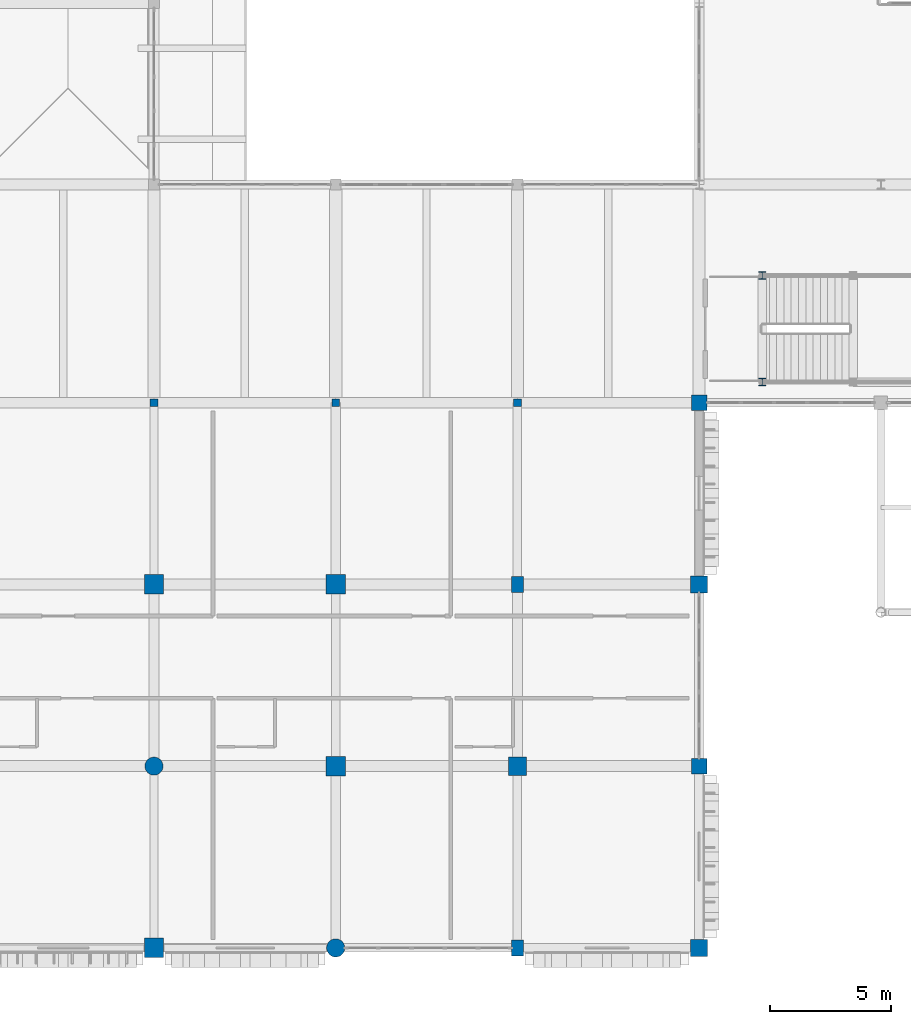
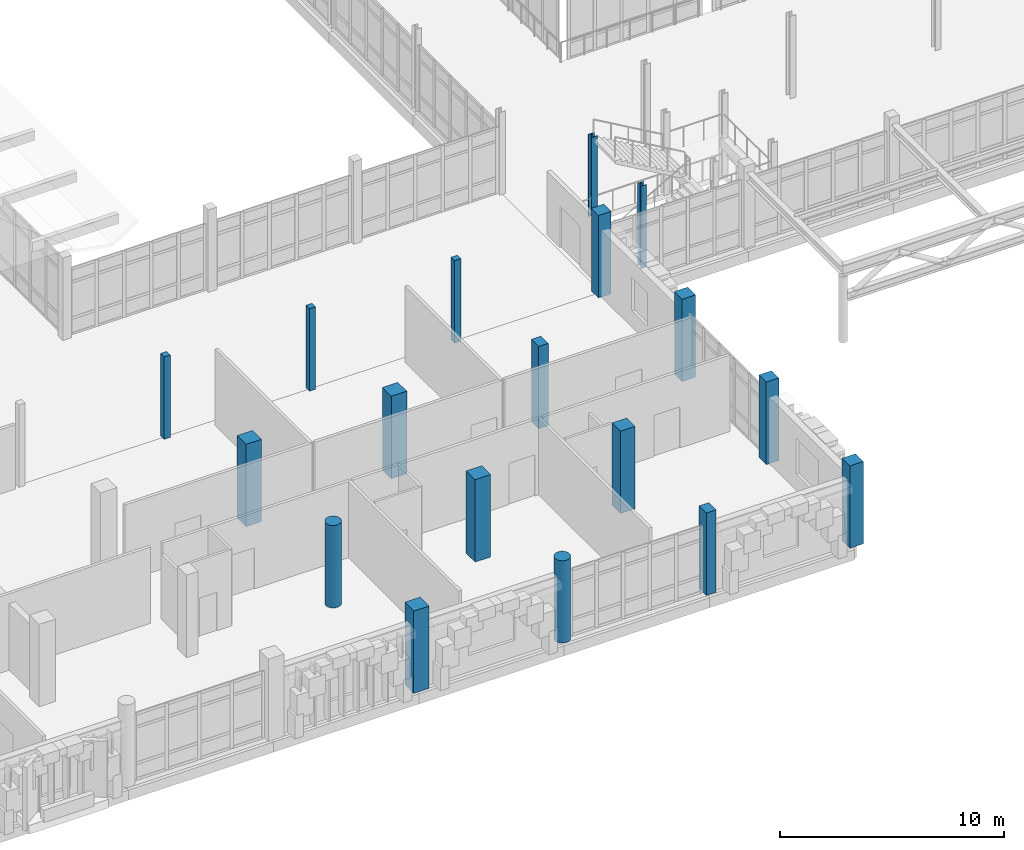
# One storey, part 2 of 128: 18 columns.
"""IFC4 building model written with IfcOpenShell, lengths in metres."""

from ifc_helpers import new_model, si_unit, direction, frame, origin, origin_2d, place, context, subcontext, project, spatial, rectangle, circle, i_section, extrude, material, material_profile, profile_set, type_object, element, save


model = new_model("IFC4")

# Units and contexts
model_context = context("Model", 3, precision=1e-05, world=origin(), true_north=direction((0.0, 1.0)))
body_context = subcontext(model_context, "Body", "Model", "MODEL_VIEW")
ifc_project = project(units=[si_unit("LENGTHUNIT", "METRE"), si_unit("AREAUNIT", "SQUARE_METRE"), si_unit("VOLUMEUNIT", "CUBIC_METRE"), si_unit("PLANEANGLEUNIT", "RADIAN"), si_unit("MASSUNIT", "GRAM", prefix="KILO")], contexts=[model_context])

# Site, building, storey
site_placement = place(None, origin())
site = spatial("IfcSite", under=ifc_project, at=site_placement, CompositionType="ELEMENT")
building_placement = place(site_placement, origin())
building = spatial("IfcBuilding", under=site, at=building_placement, Name="Dalvernix Boulevard General Hospital", CompositionType="ELEMENT")
storey_placement = place(building_placement, frame((0.0, 0.0, 4.800048828125)))
storey = spatial("IfcBuildingStorey", under=building, at=storey_placement, Name="L01", CompositionType="ELEMENT", Elevation=4.800048828125)

# Columns
ifc_material_1 = material(Name="Concrete C40/50", Category="concrete")
ifc_material_profile_1 = material_profile(ifc_material_1, rectangle(XDim=0.800048828125, YDim=0.800048828125, at=origin_2d()), Name="RC 800x800")
ifc_profile_set_1 = profile_set([ifc_material_profile_1], Name="Concrete C40/50")
column_type_1 = type_object("IfcColumnType", Name="COL-C-03-E", PredefinedType="COLUMN", material=ifc_profile_set_1)
column_1_placement = place(storey_placement, frame((37.5, 0.0, 0.0), z_axis=(0.0, 0.0, 1.0), x_axis=(1.0, 0.0, 0.0)))
element("IfcColumn", 1, at=column_1_placement, inside=storey, type_object=column_type_1, Name="L01 column 6A", PredefinedType="COLUMN", context=body_context, shape_type="SweptSolid", body=[
    extrude(rectangle(XDim=0.800048828125, YDim=0.800048828125, at=origin_2d()), origin(), (0.0, 0.0, 1.0), 4.5),
])
ifc_material_profile_2 = material_profile(ifc_material_1, rectangle(XDim=0.800048828125, YDim=0.800048828125, at=origin_2d()), Name="RC 800x800")
ifc_profile_set_2 = profile_set([ifc_material_profile_2], Name="Concrete C40/50")
column_type_2 = type_object("IfcColumnType", Name="COL-C-03-I", PredefinedType="COLUMN", material=ifc_profile_set_2)
for number, where, z_axis, x_axis, name in (
    (2, (37.5, 15.0, 0.0), (0.0, 0.0, 1.0), (1.0, 0.0, 0.0), "L01 column 6C"),
    (3, (45.0, 7.5, 0.0), (0.0, 0.0, 1.0), (1.0, 0.0, 0.0), "L01 column 7B"),
    (4, (45.0, 15.0, 0.0), (0.0, 0.0, 1.0), (1.0, 0.0, 0.0), "L01 column 7C"),
):
    element("IfcColumn", number, at=place(storey_placement, frame(where, z_axis=z_axis, x_axis=x_axis)), inside=storey, type_object=column_type_2, Name=name, PredefinedType="COLUMN", context=body_context, shape_type="SweptSolid", body=[
        extrude(rectangle(XDim=0.800048828125, YDim=0.800048828125, at=origin_2d()), origin(), (0.0, 0.0, 1.0), 4.5),
    ])
ifc_material_profile_3 = material_profile(ifc_material_1, rectangle(XDim=0.75, YDim=0.75, at=origin_2d()), Name="RC 750x750")
ifc_profile_set_3 = profile_set([ifc_material_profile_3], Name="Concrete C40/50")
column_type_3 = type_object("IfcColumnType", Name="COL-C-04-I", PredefinedType="COLUMN", material=ifc_profile_set_3)
column_2_placement = place(storey_placement, frame((52.5, 7.5, 0.0), z_axis=(0.0, 0.0, 1.0), x_axis=(1.0, 0.0, 0.0)))
element("IfcColumn", 5, at=column_2_placement, inside=storey, type_object=column_type_3, Name="L01 column 8B", PredefinedType="COLUMN", context=body_context, shape_type="SweptSolid", body=[
    extrude(rectangle(XDim=0.75, YDim=0.75, at=origin_2d()), origin(), (0.0, 0.0, 1.0), 4.5),
])
ifc_material_profile_4 = material_profile(ifc_material_1, rectangle(XDim=0.699951171875, YDim=0.699951171875, at=origin_2d()), Name="RC 700x700")
ifc_profile_set_4 = profile_set([ifc_material_profile_4], Name="Concrete C40/50")
column_type_4 = type_object("IfcColumnType", Name="COL-C-05-E", PredefinedType="COLUMN", material=ifc_profile_set_4)
for number, where, z_axis, x_axis, name in (
    (6, (60.0, 0.0, 0.0), (0.0, 0.0, 1.0), (1.0, 0.0, 0.0), "L01 column 9A"),
    (7, (60.0, 15.0, 0.0), (0.0, 0.0, 1.0), (1.0, 0.0, 0.0), "L01 column 9C"),
):
    element("IfcColumn", number, at=place(storey_placement, frame(where, z_axis=z_axis, x_axis=x_axis)), inside=storey, type_object=column_type_4, Name=name, PredefinedType="COLUMN", context=body_context, shape_type="SweptSolid", body=[
        extrude(rectangle(XDim=0.699951171875, YDim=0.699951171875, at=origin_2d()), origin(), (0.0, 0.0, 1.0), 4.5),
    ])
ifc_material_profile_5 = material_profile(ifc_material_1, rectangle(XDim=0.64990234375, YDim=0.64990234375, at=origin_2d()), Name="RC 650x650")
ifc_profile_set_5 = profile_set([ifc_material_profile_5], Name="Concrete C40/50")
column_type_5 = type_object("IfcColumnType", Name="COL-C-06-E", PredefinedType="COLUMN", material=ifc_profile_set_5)
for number, where, z_axis, x_axis, name in (
    (8, (60.0, 7.5, 0.0), (0.0, 0.0, 1.0), (1.0, 0.0, 0.0), "L01 column 9B"),
    (9, (60.0, 22.5, 0.0), (0.0, 0.0, 1.0), (1.0, 0.0, 0.0), "L01 column 9D"),
):
    element("IfcColumn", number, at=place(storey_placement, frame(where, z_axis=z_axis, x_axis=x_axis)), inside=storey, type_object=column_type_5, Name=name, PredefinedType="COLUMN", context=body_context, shape_type="SweptSolid", body=[
        extrude(rectangle(XDim=0.64990234375, YDim=0.64990234375, at=origin_2d()), origin(), (0.0, 0.0, 1.0), 4.5),
    ])
ifc_material_profile_6 = material_profile(ifc_material_1, rectangle(XDim=0.5, YDim=0.64990234375, at=origin_2d()), Name="RC 500x650")
ifc_profile_set_6 = profile_set([ifc_material_profile_6], Name="Concrete C40/50")
column_type_6 = type_object("IfcColumnType", Name="COL-C-12-E", PredefinedType="COLUMN", material=ifc_profile_set_6)
column_3_placement = place(storey_placement, frame((52.5, 0.0, 0.0), z_axis=(0.0, 0.0, 1.0), x_axis=(1.0, 0.0, 0.0)))
element("IfcColumn", 10, at=column_3_placement, inside=storey, type_object=column_type_6, Name="L01 column 8A", PredefinedType="COLUMN", context=body_context, shape_type="SweptSolid", body=[
    extrude(rectangle(XDim=0.5, YDim=0.64990234375, at=origin_2d()), origin(), (0.0, 0.0, 1.0), 4.5),
])
ifc_material_profile_7 = material_profile(ifc_material_1, rectangle(XDim=0.5, YDim=0.64990234375, at=origin_2d()), Name="RC 500x650")
ifc_profile_set_7 = profile_set([ifc_material_profile_7], Name="Concrete C40/50")
column_type_7 = type_object("IfcColumnType", Name="COL-C-12-I", PredefinedType="COLUMN", material=ifc_profile_set_7)
column_4_placement = place(storey_placement, frame((52.5, 15.0, 0.0), z_axis=(0.0, 0.0, 1.0), x_axis=(1.0, 0.0, 0.0)))
element("IfcColumn", 11, at=column_4_placement, inside=storey, type_object=column_type_7, Name="L01 column 8C", PredefinedType="COLUMN", context=body_context, shape_type="SweptSolid", body=[
    extrude(rectangle(XDim=0.5, YDim=0.64990234375, at=origin_2d()), origin(), (0.0, 0.0, 1.0), 4.5),
])
ifc_material_profile_8 = material_profile(ifc_material_1, circle(Radius=0.375, at=origin_2d()), Name="RC D750")
ifc_profile_set_8 = profile_set([ifc_material_profile_8], Name="Concrete C40/50")
column_type_8 = type_object("IfcColumnType", Name="COL-C-14-E", PredefinedType="COLUMN", material=ifc_profile_set_8)
column_5_placement = place(storey_placement, frame((45.0, 0.0, 0.0), z_axis=(0.0, 0.0, 1.0), x_axis=(1.0, 0.0, 0.0)))
element("IfcColumn", 12, at=column_5_placement, inside=storey, type_object=column_type_8, Name="L01 column 7A", PredefinedType="COLUMN", context=body_context, shape_type="SweptSolid", body=[
    extrude(circle(Radius=0.375, at=origin_2d()), origin(), (0.0, 0.0, 1.0), 4.5),
])
ifc_material_profile_9 = material_profile(ifc_material_1, circle(Radius=0.375, at=origin_2d()), Name="RC D750")
ifc_profile_set_9 = profile_set([ifc_material_profile_9], Name="Concrete C40/50")
column_type_9 = type_object("IfcColumnType", Name="COL-C-14-I", PredefinedType="COLUMN", material=ifc_profile_set_9)
column_6_placement = place(storey_placement, frame((37.5, 7.5, 0.0), z_axis=(0.0, 0.0, 1.0), x_axis=(1.0, 0.0, 0.0)))
element("IfcColumn", 13, at=column_6_placement, inside=storey, type_object=column_type_9, Name="L01 column 6B", PredefinedType="COLUMN", context=body_context, shape_type="SweptSolid", body=[
    extrude(circle(Radius=0.375, at=origin_2d()), origin(), (0.0, 0.0, 1.0), 4.5),
])
ifc_material_2 = material(Name="Steel S355", Category="steel")
ifc_material_profile_10 = material_profile(ifc_material_2, i_section(OverallWidth=0.300048828125, OverallDepth=0.300048828125, WebThickness=0.010986328125, FlangeThickness=0.01904296875, FilletRadius=0.027099609375, at=origin_2d()), Name="HEB 300")
ifc_profile_set_10 = profile_set([ifc_material_profile_10], Name="Steel S355")
column_type_10 = type_object("IfcColumnType", Name="COL-C-18", PredefinedType="COLUMN", material=ifc_profile_set_10)
for number, where, z_axis, x_axis, name in (
    (14, (62.60009765625, 23.35009765625, 0.0), (0.0, 0.0, 1.0), (1.0, 0.0, 0.0), "L01 Monumental Stair ST-07 column 1"),
    (15, (62.60009765625, 27.75, 0.0), (0.0, 0.0, 1.0), (1.0, 0.0, 0.0), "L01 Monumental Stair ST-07 column 4"),
):
    element("IfcColumn", number, at=place(storey_placement, frame(where, z_axis=z_axis, x_axis=x_axis)), inside=storey, type_object=column_type_10, Name=name, PredefinedType="COLUMN", context=body_context, shape_type="SweptSolid", body=[
        extrude(i_section(OverallWidth=0.300048828125, OverallDepth=0.300048828125, WebThickness=0.010986328125, FlangeThickness=0.01904296875, FilletRadius=0.027099609375, at=origin_2d()), origin(), (0.0, 0.0, 1.0), 4.5),
    ])
ifc_material_3 = material(Name="Glulam GL28h", Category="wood")
ifc_material_profile_11 = material_profile(ifc_material_3, rectangle(XDim=0.320068359375, YDim=0.320068359375, at=origin_2d()), Name="GL28h 320x320")
ifc_profile_set_11 = profile_set([ifc_material_profile_11], Name="Glulam GL28h")
column_type_11 = type_object("IfcColumnType", Name="COL-C-20-I", PredefinedType="COLUMN", material=ifc_profile_set_11)
for number, where, z_axis, x_axis, name in (
    (16, (37.5, 22.5, 0.0), (0.0, 0.0, 1.0), (1.0, 0.0, 0.0), "L01 column 6D"),
    (17, (45.0, 22.5, 0.0), (0.0, 0.0, 1.0), (1.0, 0.0, 0.0), "L01 column 7D"),
    (18, (52.5, 22.5, 0.0), (0.0, 0.0, 1.0), (1.0, 0.0, 0.0), "L01 column 8D"),
):
    element("IfcColumn", number, at=place(storey_placement, frame(where, z_axis=z_axis, x_axis=x_axis)), inside=storey, type_object=column_type_11, Name=name, PredefinedType="COLUMN", context=body_context, shape_type="SweptSolid", body=[
        extrude(rectangle(XDim=0.320068359375, YDim=0.320068359375, at=origin_2d()), origin(), (0.0, 0.0, 1.0), 4.5),
    ])

save(model, "model.ifc")
